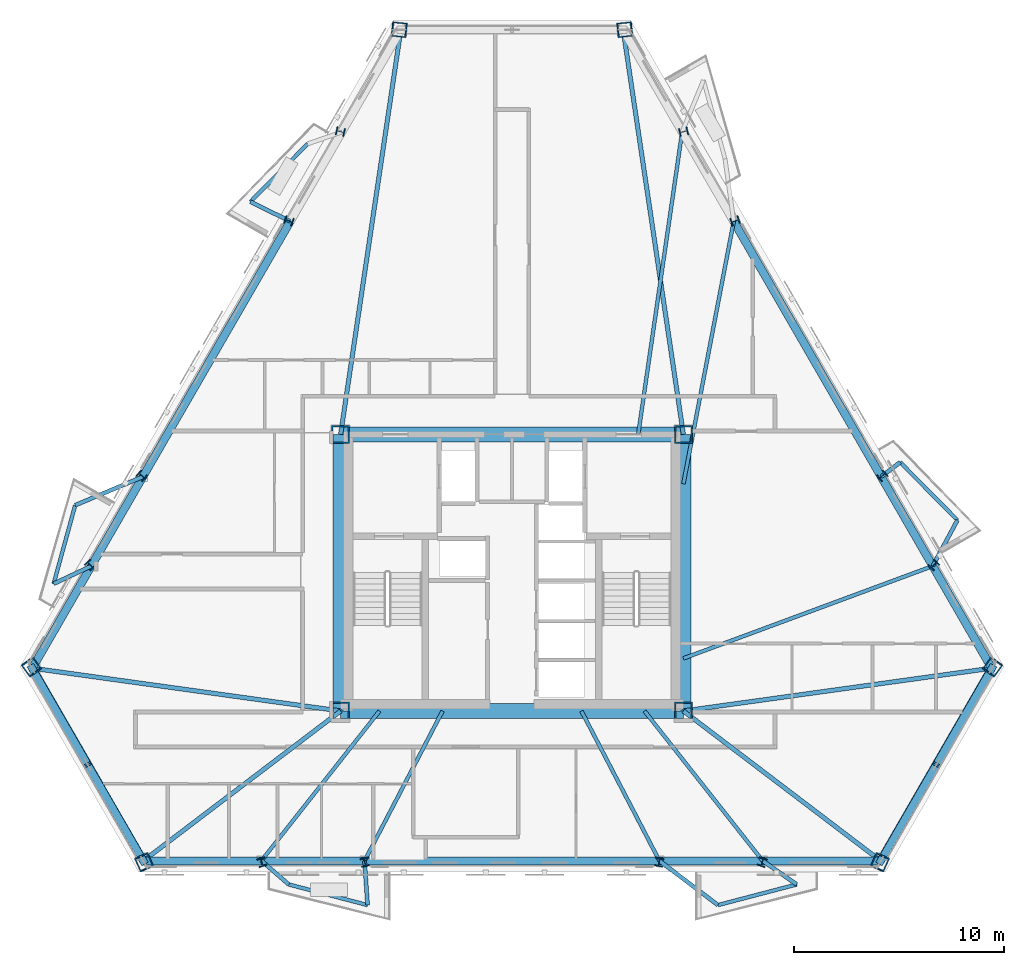
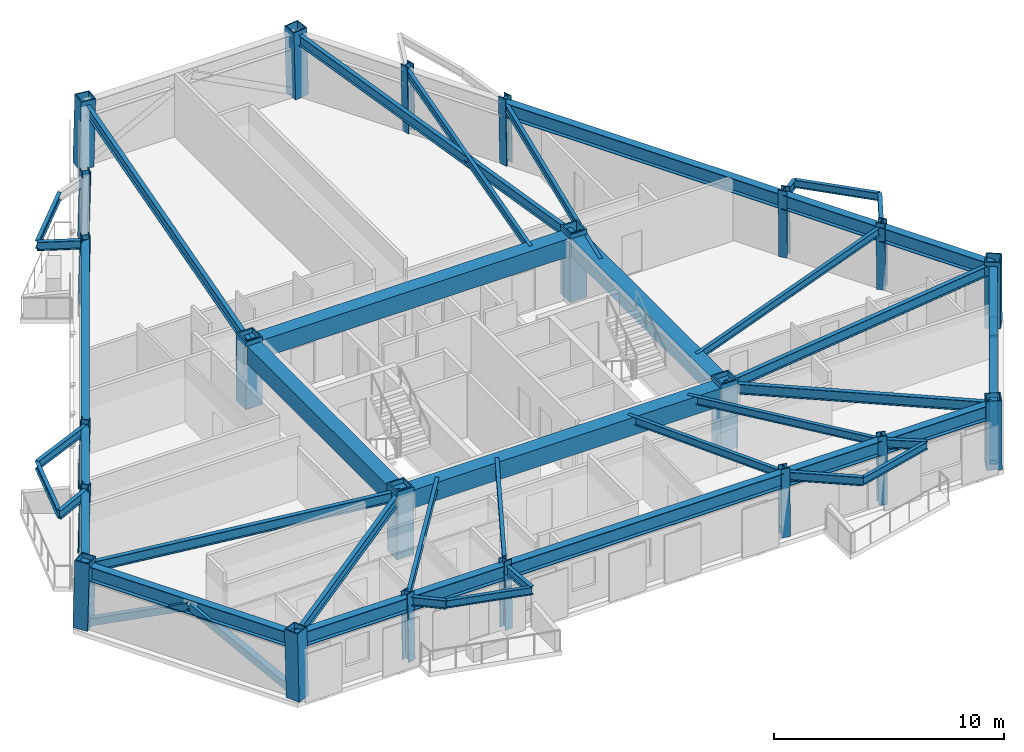
# One storey, part 1 of 9: 44 beams, 22 columns, 4 members.
"""IFC4 building model written with IfcOpenShell, lengths in metres."""

import ifcopenshell
import ifcopenshell.guid

model = None  # the IFC model being written
_history = None  # IfcOwnerHistory: only IFC2X3 demands one
_inside = {}  # id of a spatial element -> (the spatial element, [elements in it])
_under = {}  # id of a project, library or spatial element -> (it, [spatial elements below it])
_declared = {}  # id of a project -> (the project, [libraries it declares])
_typed = {}  # id of a type object -> (the type object, [elements of that type])
_made_of = {}  # id of a material, layer set ... -> (it, [elements and type objects made of it])


def new_model(schema):
    """Start an empty IFC model of exactly this schema.

    Asked for "IFC4X3", IfcOpenShell would pick the latest addendum, in which some entities
    have other attributes; the version numbers below select the first issue.
    IFC2X3 requires an IfcOwnerHistory on every rooted entity: one is made here for all.
    """
    global model, _history
    if schema == "IFC4X3":
        model = ifcopenshell.file(schema_version=(4, 3, 0, 0))
    else:
        model = ifcopenshell.file(schema=schema)
    _inside.clear()
    _under.clear()
    _declared.clear()
    _typed.clear()
    _made_of.clear()
    _history = None
    if model.schema == "IFC2X3":
        org = make("IfcOrganization", Name="unknown")
        user = make(
            "IfcPersonAndOrganization",
            ThePerson=make("IfcPerson", FamilyName="unknown"),
            TheOrganization=org,
        )
        app = make(
            "IfcApplication",
            ApplicationDeveloper=org,
            Version="unknown",
            ApplicationFullName="unknown",
            ApplicationIdentifier="unknown",
        )
        _history = make(
            "IfcOwnerHistory",
            OwningUser=user,
            OwningApplication=app,
            ChangeAction="ADDED",
            CreationDate=0,
        )
    return model


def make(cls, **values):
    """One entity of the class cls with the attributes given. An attribute that is None is left unset."""
    return model.create_entity(
        cls, **{name: value for name, value in values.items() if value is not None}
    )


def rooted(cls, **values):
    """An entity with a GlobalId (a new one), such as an element, a storey or a relation."""
    return make(cls, GlobalId=ifcopenshell.guid.new(), OwnerHistory=_history, **values)


def si_unit(unit_type, name, prefix=None):
    """IfcSIUnit, for example si_unit("LENGTHUNIT", "METRE", prefix="MILLI")."""
    return make("IfcSIUnit", UnitType=unit_type, Prefix=prefix, Name=name)


def assignment(units):
    """IfcUnitAssignment: the units of a project."""
    return None if units is None else make("IfcUnitAssignment", Units=units)


def point(xyz):
    """IfcCartesianPoint."""
    return None if xyz is None else make("IfcCartesianPoint", Coordinates=xyz)


def direction(xyz):
    """IfcDirection."""
    return None if xyz is None else make("IfcDirection", DirectionRatios=xyz)


def frame(location, z_axis=None, x_axis=None):
    """IfcAxis2Placement3D, a coordinate frame: its origin and axes. An axis left out is left unset."""
    return make(
        "IfcAxis2Placement3D",
        Location=point(location),
        Axis=direction(z_axis),
        RefDirection=direction(x_axis),
    )


def frame_2d(location, x_axis=None):
    """IfcAxis2Placement2D, a coordinate frame in the plane: its origin and x axis."""
    return make(
        "IfcAxis2Placement2D", Location=point(location), RefDirection=direction(x_axis)
    )


def origin():
    """The frame at (0, 0, 0) with its axes left unset."""
    return frame((0.0, 0.0, 0.0))


def origin_2d():
    """The frame at (0, 0) in the plane with its x axis left unset."""
    return frame_2d((0.0, 0.0))


def place(relative_to, where):
    """IfcLocalPlacement: puts the frame where relative to a parent placement (None: the world)."""
    return make(
        "IfcLocalPlacement", PlacementRelTo=relative_to, RelativePlacement=where
    )


def context(
    kind, dimensions, precision=None, world=None, true_north=None, identifier=None
):
    """IfcGeometricRepresentationContext, for example the 3D "Model" context."""
    return make(
        "IfcGeometricRepresentationContext",
        ContextIdentifier=identifier,
        ContextType=kind,
        CoordinateSpaceDimension=dimensions,
        Precision=precision,
        WorldCoordinateSystem=world,
        TrueNorth=true_north,
    )


def subcontext(parent, identifier, kind, view, scale=None):
    """IfcGeometricRepresentationSubContext, for example "Body" below "Model"."""
    return make(
        "IfcGeometricRepresentationSubContext",
        ContextIdentifier=identifier,
        ContextType=kind,
        ParentContext=parent,
        TargetScale=scale,
        TargetView=view,
    )


def project(units=None, contexts=None):
    """IfcProject with its units and contexts."""
    return rooted(
        "IfcProject",
        Name="project",
        RepresentationContexts=contexts,
        UnitsInContext=assignment(units),
    )


def spatial(cls, under=None, at=None, **own):
    """A site, building, storey or space (cls), placed at a placement, below another one or the project."""
    s = rooted(cls, ObjectPlacement=at, **own)
    if under is not None:
        _under.setdefault(under.id(), (under, []))[1].append(s)
    return s


def profile(cls, at=None, kind="AREA", **sizes):
    """A parametric profile (cls). Its sizes go by their IFC names, for example OverallWidth=200.0."""
    return make(cls, ProfileType=kind, Position=at, **sizes)


def rectangle(**sizes):
    """IfcRectangleProfileDef."""
    return profile("IfcRectangleProfileDef", **sizes)


def hollow_rectangle(**sizes):
    """IfcRectangleHollowProfileDef."""
    return profile("IfcRectangleHollowProfileDef", **sizes)


def i_section(**sizes):
    """IfcIShapeProfileDef."""
    return profile("IfcIShapeProfileDef", **sizes)


def extrude(swept, where, along, depth):
    """IfcExtrudedAreaSolid: the profile swept, set in the frame where, extruded along a direction by depth."""
    return make(
        "IfcExtrudedAreaSolid",
        SweptArea=swept,
        Position=where,
        ExtrudedDirection=direction(along),
        Depth=depth,
    )


def shape(context_of_items, identifier, shape_type, items):
    """IfcShapeRepresentation: the items that make up one representation, for example the "Body"."""
    return make(
        "IfcShapeRepresentation",
        ContextOfItems=context_of_items,
        RepresentationIdentifier=identifier,
        RepresentationType=shape_type,
        Items=items,
    )


def material(Name=None, Category=None):
    """IfcMaterial."""
    return make("IfcMaterial", Name=Name, Category=Category)


def material_profile(
    of_material, cross_section, Name=None, Category=None, Priority=None
):
    """IfcMaterialProfile: a cross section and its material."""
    return make(
        "IfcMaterialProfile",
        Name=Name,
        Material=of_material,
        Profile=cross_section,
        Priority=Priority,
        Category=Category,
    )


def profile_set(profiles, Name=None, composite=None):
    """IfcMaterialProfileSet."""
    return make(
        "IfcMaterialProfileSet",
        Name=Name,
        MaterialProfiles=profiles,
        CompositeProfile=composite,
    )


def made_of(thing, what):
    """Note that an element or type object is made of a material, layer set ...; save() writes the relation."""
    if what is not None:
        _made_of.setdefault(what.id(), (what, []))[1].append(thing)
    return thing


def type_object(cls, material=None, **own):
    """A type object (cls), such as IfcWallType, which elements share."""
    return made_of(rooted(cls, **own), material)


def element(
    cls,
    number,
    at=None,
    inside=None,
    cuts=None,
    type_object=None,
    material=None,
    context=None,
    identifier="Body",
    shape_type=None,
    held_by="IfcProductDefinitionShape",
    body=None,
    shapes=None,
    **own,
):
    """One element of the class cls, such as IfcWall. Its Tag is "e" and its number.

    at: its placement. inside: the storey or other place that contains it. cuts: it is an
    opening in that element (IfcRelVoidsElement). A single representation is given by context,
    identifier, shape_type and body (its items); several are given by shapes. held_by: the class
    of the entity that holds the representations. save() writes the other relations.
    """
    e = rooted(cls, Tag="e%d" % number, ObjectPlacement=at, **own)
    if body is not None:
        shapes = [shape(context, identifier, shape_type, body)]
    if shapes is not None:
        e.Representation = make(held_by, Representations=shapes)
    if inside is not None:
        _inside.setdefault(inside.id(), (inside, []))[1].append(e)
    if cuts is not None:
        rooted(
            "IfcRelVoidsElement", RelatingBuildingElement=cuts, RelatedOpeningElement=e
        )
    if type_object is not None:
        _typed.setdefault(type_object.id(), (type_object, []))[1].append(e)
    return made_of(e, material)


def aggregate(whole, parts):
    """IfcRelAggregates: a whole, such as a stair, and the parts it consists of."""
    return rooted("IfcRelAggregates", RelatingObject=whole, RelatedObjects=parts)


def save(model, path):
    """Write the relations noted so far, then the file.

    IfcRelAggregates (storeys below a building ...), IfcRelContainedInSpatialStructure (elements
    in a storey), IfcRelDefinesByType, IfcRelAssociatesMaterial and IfcRelDeclares: one each for
    every whole, place, type object, material and project.
    """
    for whole, parts in _under.values():
        aggregate(whole, parts)
    for where, things in _inside.values():
        rooted(
            "IfcRelContainedInSpatialStructure",
            RelatedElements=things,
            RelatingStructure=where,
        )
    for kind, things in _typed.values():
        rooted("IfcRelDefinesByType", RelatedObjects=things, RelatingType=kind)
    for what, things in _made_of.values():
        rooted("IfcRelAssociatesMaterial", RelatedObjects=things, RelatingMaterial=what)
    for by, libraries in _declared.values():
        rooted("IfcRelDeclares", RelatingContext=by, RelatedDefinitions=libraries)
    model.write(path)


model = new_model("IFC4")

# Units and contexts
model_context = context("Model", 3, precision=1e-05, world=origin(), true_north=direction((0.0, 1.0)))
body_context = subcontext(model_context, "Body", "Model", "MODEL_VIEW")
ifc_project = project(units=[si_unit("LENGTHUNIT", "METRE"), si_unit("AREAUNIT", "SQUARE_METRE"), si_unit("VOLUMEUNIT", "CUBIC_METRE"), si_unit("PLANEANGLEUNIT", "RADIAN"), si_unit("MASSUNIT", "GRAM", prefix="KILO")], contexts=[model_context])

# Site, building, storey
site_placement = place(None, origin())
site = spatial("IfcSite", under=ifc_project, at=site_placement, CompositionType="ELEMENT")
building_placement = place(site_placement, origin())
building = spatial("IfcBuilding", under=site, at=building_placement, Name="Oramaril Tower", CompositionType="ELEMENT")
storey_placement = place(building_placement, frame((0.0, 0.0, 123.0)))
storey = spatial("IfcBuildingStorey", under=building, at=storey_placement, Name="L32", CompositionType="ELEMENT", Elevation=123.0)

# Columns
ifc_material_1 = material(Name="Steel ASTM A572 Gr 50", Category="steel")
ifc_material_profile_1 = material_profile(ifc_material_1, hollow_rectangle(XDim=0.85009765625, YDim=0.85009765625, WallThickness=0.070068359375, at=origin_2d()), Name="BOX850X850X70")
ifc_profile_set_1 = profile_set([ifc_material_profile_1], Name="Steel ASTM A572 Gr 50")
column_type_1 = type_object("IfcColumnType", Name="CT-CC3", PredefinedType="COLUMN", material=ifc_profile_set_1)
for number, where, z_axis, x_axis, name in (
    (1, (29.35009765625, 11.0, 0.0), (0.0, 0.0, 1.0), (1.0, 0.0, 0.0), "L32 Core Column CC-1"),
    (2, (45.64990234375, 11.0, 0.0), (0.0, 0.0, 1.0), (1.0, 0.0, 0.0), "L32 Core Column CC-2"),
    (3, (45.64990234375, 24.14990234375, 0.0), (0.0, 0.0, 1.0), (1.0, 0.0, 0.0), "L32 Core Column CC-3"),
    (4, (29.35009765625, 24.14990234375, 0.0), (0.0, 0.0, 1.0), (1.0, 0.0, 0.0), "L32 Core Column CC-4"),
):
    element("IfcColumn", number, at=place(storey_placement, frame(where, z_axis=z_axis, x_axis=x_axis)), inside=storey, type_object=column_type_1, Name=name, PredefinedType="COLUMN", context=body_context, shape_type="SweptSolid", body=[
        extrude(hollow_rectangle(XDim=0.85009765625, YDim=0.85009765625, WallThickness=0.070068359375, at=origin_2d()), origin(), (0.0, 0.0, 1.0), 3.60009765625),
    ])
ifc_material_2 = material(Name="Steel ASTM A572 Gr 50", Category="steel")
ifc_material_profile_2 = material_profile(ifc_material_2, hollow_rectangle(XDim=0.699951171875, YDim=0.699951171875, WallThickness=0.054931640625, at=origin_2d()), Name="BOX700X700X55")
ifc_profile_set_2 = profile_set([ifc_material_profile_2], Name="Steel ASTM A572 Gr 50")
column_type_2 = type_object("IfcColumnType", Name="CT-TC4", PredefinedType="COLUMN", material=ifc_profile_set_2)
for number, where, z_axis, x_axis, name in (
    (5, (14.636474609375, 13.10693359375, 0.00439453125), (0.014748241412, -0.020253345349, 0.999686096421), (0.808384021956, 0.588655479076, 0.0), "L32 Tube Column TC-01"),
    (6, (20.01220703125, 3.796142578125, 0.00439453125), (-0.010194632777, 0.022903941638, 0.999685690065), (-0.913587827214, -0.406641466119, 0.0), "L32 Tube Column TC-02"),
    (7, (54.98779296875, 3.796142578125, 0.00439453125), (0.010194632777, 0.022903941638, 0.999685690065), (-0.913587827214, 0.406641466119, 0.0), "L32 Tube Column TC-03"),
    (8, (60.363525390625, 13.10693359375, 0.00439453125), (-0.014748241412, -0.020253345349, 0.999686096421), (0.808384021956, -0.588655479076, 0.0), "L32 Tube Column TC-04"),
    (9, (42.875732421875, 43.39697265625, 0.00439453125), (-0.024942860071, -0.002650603659, 0.999685364518), (0.105672044622, -0.99440103529, 0.0), "L32 Tube Column TC-05"),
    (10, (32.124267578125, 43.39697265625, 0.00439453125), (0.024942860071, -0.002650603659, 0.999685364518), (0.105672044622, 0.99440103529, 0.0), "L32 Tube Column TC-06"),
):
    element("IfcColumn", number, at=place(storey_placement, frame(where, z_axis=z_axis, x_axis=x_axis)), inside=storey, type_object=column_type_2, Name=name, PredefinedType="COLUMN", context=body_context, shape_type="SweptSolid", body=[
        extrude(hollow_rectangle(XDim=0.699951171875, YDim=0.699951171875, WallThickness=0.054931640625, at=origin_2d()), origin(), (0.0, 0.0, 1.0), 3.59228515625),
    ])
ifc_material_3 = material(Name="Steel ASTM A572 Gr 50", Category="steel")
ifc_material_profile_3 = material_profile(ifc_material_3, i_section(OverallWidth=0.404052734375, OverallDepth=0.406005859375, WebThickness=0.027099609375, FlangeThickness=0.043701171875, at=origin_2d()), Name="W14X233")
ifc_profile_set_3 = profile_set([ifc_material_profile_3], Name="Steel ASTM A572 Gr 50")
column_type_3 = type_object("IfcColumnType", Name="CT-TF3", PredefinedType="COLUMN", material=ifc_profile_set_3)
for number, where, z_axis, x_axis, name in (
    (11, (25.6083984375, 3.796142578125, 0.00439453125), (-0.007000506765, 0.022904570676, 0.999713145631), (-0.956329539044, -0.292290630628, 0.0), "L32 Tube Column TC-07"),
    (12, (30.5048828125, 3.796142578125, 0.00439453125), (-0.004078031124, 0.022904941479, 0.999729330028), (-0.984517724356, -0.175285054781, 0.0), "L32 Tube Column TC-08"),
    (13, (44.4951171875, 3.796142578125, 0.00439453125), (0.004078031124, 0.022904941479, 0.999729330028), (-0.984517724356, 0.175285054781, 0.0), "L32 Tube Column TC-09"),
    (14, (49.3916015625, 3.796142578125, 0.00439453125), (0.007000506765, 0.022904570676, 0.999713145631), (-0.956329539044, 0.292290630628, 0.0), "L32 Tube Column TC-10"),
    (15, (57.5654296875, 17.953369140625, 0.00439453125), (-0.016379828323, -0.017467285805, 0.999713256464), (0.729448684879, -0.684035537182, 0.0), "L32 Tube Column TC-11"),
    (16, (55.1171875, 22.194091796875, 0.00439453125), (-0.017807389577, -0.01502073701, 0.999728600339), (0.64476441891, -0.764381347305, 0.0), "L32 Tube Column TC-12"),
    (17, (48.1220703125, 34.309814453125, 0.00439453125), (-0.021885435164, -0.007884194034, 0.999729396993), (0.338926384952, -0.940812896161, 0.0), "L32 Tube Column TC-13"),
    (18, (45.673583984375, 38.550537109375, 0.00439453125), (-0.023244444803, -0.00543729703, 0.999715025188), (0.227769603439, -0.9737150547, 0.0), "L32 Tube Column TC-14"),
    (19, (29.326416015625, 38.550537109375, 0.00439453125), (0.023244444803, -0.00543729703, 0.999715025188), (0.227769603439, 0.9737150547, 0.0), "L32 Tube Column TC-15"),
    (20, (26.8779296875, 34.309814453125, 0.00439453125), (0.021885435164, -0.007884194034, 0.999729396993), (0.338926384952, 0.940812896161, 0.0), "L32 Tube Column TC-16"),
    (21, (19.8828125, 22.194091796875, 0.00439453125), (0.017807389577, -0.01502073701, 0.999728600339), (0.64476441891, 0.764381347305, 0.0), "L32 Tube Column TC-17"),
    (22, (17.4345703125, 17.953369140625, 0.00439453125), (0.016379828323, -0.017467285805, 0.999713256464), (0.729448684879, 0.684035537182, 0.0), "L32 Tube Column TC-18"),
):
    element("IfcColumn", number, at=place(storey_placement, frame(where, z_axis=z_axis, x_axis=x_axis)), inside=storey, type_object=column_type_3, Name=name, PredefinedType="COLUMN", context=body_context, shape_type="SweptSolid", body=[
        extrude(i_section(OverallWidth=0.404052734375, OverallDepth=0.406005859375, WebThickness=0.027099609375, FlangeThickness=0.043701171875, at=origin_2d()), origin(), (0.0, 0.0, 1.0), 3.592041015625),
    ])

# Beams
ifc_material_4 = material(Name="Steel ASTM A572 Gr 50", Category="steel")
ifc_material_profile_4 = material_profile(ifc_material_4, i_section(OverallWidth=0.19091796875, OverallDepth=0.45703125, WebThickness=0.009033203125, FlangeThickness=0.014404296875, at=origin_2d()), Name="W18X50")
ifc_profile_set_4 = profile_set([ifc_material_profile_4], Name="Steel ASTM A572 Gr 50")
beam_type_1 = type_object("IfcBeamType", Name="BT-BB1", PredefinedType="BEAM", material=ifc_profile_set_4)
beam_1_placement = place(storey_placement, frame((25.583251953125, 3.87841796875, 3.131591796875), z_axis=(0.756421846232, -0.654084085224, 0.0), x_axis=(0.654084085224, 0.756421846232, 0.0)))
element("IfcBeam", 23, at=beam_1_placement, inside=storey, type_object=beam_type_1, Name="L32 Balcony Column-Framed Cantilever 01.1", PredefinedType="BEAM", context=body_context, shape_type="SweptSolid", body=[
    extrude(i_section(OverallWidth=0.19091796875, OverallDepth=0.45703125, WebThickness=0.009033203125, FlangeThickness=0.014404296875, at=origin_2d()), origin(), (0.0, 0.0, 1.0), 1.724853515625),
])
beam_2_placement = place(storey_placement, frame((30.490234375, 3.87841796875, 3.131591796875), z_axis=(0.067017492113, -0.997751800675, 0.0), x_axis=(0.997751800675, 0.067017492113, 0.0)))
element("IfcBeam", 24, at=beam_2_placement, inside=storey, type_object=beam_type_1, Name="L32 Balcony Column-Framed Cantilever 01.2", PredefinedType="BEAM", context=body_context, shape_type="SweptSolid", body=[
    extrude(i_section(OverallWidth=0.19091796875, OverallDepth=0.45703125, WebThickness=0.009033203125, FlangeThickness=0.014404296875, at=origin_2d()), origin(), (0.0, 0.0, 1.0), 2.11279296875),
])
beam_3_placement = place(storey_placement, frame((44.509765625, 3.87841796875, 3.131591796875), z_axis=(0.797163531651, -0.603763450207, 0.0), x_axis=(0.603763450207, 0.797163531651, 0.0)))
element("IfcBeam", 25, at=beam_3_placement, inside=storey, type_object=beam_type_1, Name="L32 Balcony Column-Framed Cantilever 02.1", PredefinedType="BEAM", context=body_context, shape_type="SweptSolid", body=[
    extrude(i_section(OverallWidth=0.19091796875, OverallDepth=0.45703125, WebThickness=0.009033203125, FlangeThickness=0.014404296875, at=origin_2d()), origin(), (0.0, 0.0, 1.0), 3.49169921875),
])
beam_4_placement = place(storey_placement, frame((49.416748046875, 3.87841796875, 3.131591796875), z_axis=(0.820675789397, -0.571394127287, 0.0), x_axis=(0.571394127287, 0.820675789397, 0.0)))
element("IfcBeam", 26, at=beam_4_placement, inside=storey, type_object=beam_type_1, Name="L32 Balcony Column-Framed Cantilever 02.2", PredefinedType="BEAM", context=body_context, shape_type="SweptSolid", body=[
    extrude(i_section(OverallWidth=0.19091796875, OverallDepth=0.45703125, WebThickness=0.009033203125, FlangeThickness=0.014404296875, at=origin_2d()), origin(), (0.0, 0.0, 1.0), 1.974365234375),
])
beam_5_placement = place(storey_placement, frame((57.506591796875, 17.890625, 3.131591796875), z_axis=(0.473295070282, 0.880903954156, 0.0), x_axis=(-0.880903954156, 0.473295070282, 0.0)))
element("IfcBeam", 27, at=beam_5_placement, inside=storey, type_object=beam_type_1, Name="L32 Balcony Column-Framed Cantilever 03.1", PredefinedType="BEAM", context=body_context, shape_type="SweptSolid", body=[
    extrude(i_section(OverallWidth=0.19091796875, OverallDepth=0.45703125, WebThickness=0.009033203125, FlangeThickness=0.014404296875, at=origin_2d()), origin(), (0.0, 0.0, 1.0), 2.47900390625),
])
beam_6_placement = place(storey_placement, frame((55.05322265625, 22.14013671875, 3.131591796875), z_axis=(0.796922976099, 0.604080930145, 0.0), x_axis=(-0.604080930145, 0.796922976099, 0.0)))
element("IfcBeam", 28, at=beam_6_placement, inside=storey, type_object=beam_type_1, Name="L32 Balcony Column-Framed Cantilever 03.2", PredefinedType="BEAM", context=body_context, shape_type="SweptSolid", body=[
    extrude(i_section(OverallWidth=0.19091796875, OverallDepth=0.45703125, WebThickness=0.009033203125, FlangeThickness=0.014404296875, at=origin_2d()), origin(), (0.0, 0.0, 1.0), 1.136962890625),
])
beam_7_placement = place(storey_placement, frame((26.95654296875, 34.281494140625, 3.131591796875), z_axis=(-0.897639350738, 0.440730752281, 0.0), x_axis=(-0.440730752281, -0.897639350738, 0.0)))
element("IfcBeam", 29, at=beam_7_placement, inside=storey, type_object=beam_type_1, Name="L32 Balcony Column-Framed Cantilever 05.2", PredefinedType="BEAM", context=body_context, shape_type="SweptSolid", body=[
    extrude(i_section(OverallWidth=0.19091796875, OverallDepth=0.45703125, WebThickness=0.009033203125, FlangeThickness=0.014404296875, at=origin_2d()), origin(), (0.0, 0.0, 1.0), 2.11279296875),
])
beam_8_placement = place(storey_placement, frame((19.94677734375, 22.14013671875, 3.131591796875), z_axis=(-0.92145100242, -0.388494594737, 0.0), x_axis=(0.388494594737, -0.92145100242, 0.0)))
element("IfcBeam", 30, at=beam_8_placement, inside=storey, type_object=beam_type_1, Name="L32 Balcony Column-Framed Cantilever 06.1", PredefinedType="BEAM", context=body_context, shape_type="SweptSolid", body=[
    extrude(i_section(OverallWidth=0.19091796875, OverallDepth=0.45703125, WebThickness=0.009033203125, FlangeThickness=0.014404296875, at=origin_2d()), origin(), (0.0, 0.0, 1.0), 3.491455078125),
])
beam_9_placement = place(storey_placement, frame((17.493408203125, 17.890625, 3.131591796875), z_axis=(-0.905137912918, -0.425118052543, 0.0), x_axis=(0.425118052543, -0.905137912918, 0.0)))
element("IfcBeam", 31, at=beam_9_placement, inside=storey, type_object=beam_type_1, Name="L32 Balcony Column-Framed Cantilever 06.2", PredefinedType="BEAM", context=body_context, shape_type="SweptSolid", body=[
    extrude(i_section(OverallWidth=0.19091796875, OverallDepth=0.45703125, WebThickness=0.009033203125, FlangeThickness=0.014404296875, at=origin_2d()), origin(), (0.0, 0.0, 1.0), 1.974365234375),
])
ifc_material_5 = material(Name="Concrete C50/60", Category="concrete")
ifc_material_profile_5 = material_profile(ifc_material_5, rectangle(XDim=0.699951171875, YDim=0.949951171875, at=origin_2d()), Name="CB700X950")
ifc_profile_set_5 = profile_set([ifc_material_profile_5], Name="Concrete C50/60")
beam_type_2 = type_object("IfcBeamType", Name="BT-CB1", PredefinedType="BEAM", material=ifc_profile_set_5)
beam_10_placement = place(storey_placement, frame((29.35009765625, 11.0, 2.885009765625), z_axis=(1.0, 0.0, 0.0), x_axis=(0.0, 1.0, 0.0)))
element("IfcBeam", 32, at=beam_10_placement, inside=storey, type_object=beam_type_2, Name="L32 Core Header Beam CB-1", PredefinedType="BEAM", context=body_context, shape_type="SweptSolid", body=[
    extrude(rectangle(XDim=0.699951171875, YDim=0.949951171875, at=origin_2d()), origin(), (0.0, 0.0, 1.0), 16.2998046875),
])
beam_11_placement = place(storey_placement, frame((45.64990234375, 11.0, 2.885009765625), z_axis=(0.0, 1.0, 0.0), x_axis=(-1.0, 0.0, 0.0)))
element("IfcBeam", 33, at=beam_11_placement, inside=storey, type_object=beam_type_2, Name="L32 Core Header Beam CB-2", PredefinedType="BEAM", context=body_context, shape_type="SweptSolid", body=[
    extrude(rectangle(XDim=0.699951171875, YDim=0.949951171875, at=origin_2d()), origin(), (0.0, 0.0, 1.0), 13.14990234375),
])
beam_12_placement = place(storey_placement, frame((45.64990234375, 24.14990234375, 2.885009765625), z_axis=(-1.0, 0.0, 0.0), x_axis=(0.0, -1.0, 0.0)))
element("IfcBeam", 34, at=beam_12_placement, inside=storey, type_object=beam_type_2, Name="L32 Core Header Beam CB-3", PredefinedType="BEAM", context=body_context, shape_type="SweptSolid", body=[
    extrude(rectangle(XDim=0.699951171875, YDim=0.949951171875, at=origin_2d()), origin(), (0.0, 0.0, 1.0), 16.2998046875),
])
beam_13_placement = place(storey_placement, frame((29.35009765625, 24.14990234375, 2.885009765625), z_axis=(0.0, -1.0, 0.0), x_axis=(1.0, 0.0, 0.0)))
element("IfcBeam", 35, at=beam_13_placement, inside=storey, type_object=beam_type_2, Name="L32 Core Header Beam CB-4", PredefinedType="BEAM", context=body_context, shape_type="SweptSolid", body=[
    extrude(rectangle(XDim=0.699951171875, YDim=0.949951171875, at=origin_2d()), origin(), (0.0, 0.0, 1.0), 13.14990234375),
])
ifc_material_6 = material(Name="Steel ASTM A572 Gr 50", Category="steel")
ifc_material_profile_6 = material_profile(ifc_material_6, i_section(OverallWidth=0.2099609375, OverallDepth=0.535888671875, WebThickness=0.010986328125, FlangeThickness=0.017333984375, at=origin_2d()), Name="W21X68")
ifc_profile_set_6 = profile_set([ifc_material_profile_6], Name="Steel ASTM A572 Gr 50")
beam_type_3 = type_object("IfcBeamType", Name="BT-FB2", PredefinedType="BEAM", material=ifc_profile_set_6)
beam_14_placement = place(storey_placement, frame((29.35009765625, 11.0, 3.092041015625), z_axis=(-0.99051086912, 0.137434414013, 0.0), x_axis=(-0.137434414013, -0.99051086912, 0.0)))
element("IfcBeam", 36, at=beam_14_placement, inside=storey, type_object=beam_type_3, Name="L32 Radial Primary Beam RB-01", PredefinedType="BEAM", context=body_context, shape_type="SweptSolid", body=[
    extrude(i_section(OverallWidth=0.2099609375, OverallDepth=0.535888671875, WebThickness=0.010986328125, FlangeThickness=0.017333984375, at=origin_2d()), origin(), (0.0, 0.0, 1.0), 14.801025390625),
])
for number, where, z_axis, x_axis, name in (
    (37, (29.35009765625, 11.0, 3.092041015625), (-0.796286855909, -0.604919203783, 0.0), (0.604919203783, -0.796286855909, 0.0), "L32 Radial Primary Beam RB-02"),
    (38, (45.64990234375, 11.0, 3.092041015625), (0.796286855909, -0.604919203783, 0.0), (0.604919203783, 0.796286855909, 0.0), "L32 Radial Primary Beam RB-03"),
):
    element("IfcBeam", number, at=place(storey_placement, frame(where, z_axis=z_axis, x_axis=x_axis)), inside=storey, type_object=beam_type_3, Name=name, PredefinedType="BEAM", context=body_context, shape_type="SweptSolid", body=[
        extrude(i_section(OverallWidth=0.2099609375, OverallDepth=0.535888671875, WebThickness=0.010986328125, FlangeThickness=0.017333984375, at=origin_2d()), origin(), (0.0, 0.0, 1.0), 11.772705078125),
    ])
beam_15_placement = place(storey_placement, frame((45.64990234375, 11.0, 3.092041015625), z_axis=(0.99051086912, 0.137434414013, 0.0), x_axis=(-0.137434414013, 0.99051086912, 0.0)))
element("IfcBeam", 39, at=beam_15_placement, inside=storey, type_object=beam_type_3, Name="L32 Radial Primary Beam RB-04", PredefinedType="BEAM", context=body_context, shape_type="SweptSolid", body=[
    extrude(i_section(OverallWidth=0.2099609375, OverallDepth=0.535888671875, WebThickness=0.010986328125, FlangeThickness=0.017333984375, at=origin_2d()), origin(), (0.0, 0.0, 1.0), 14.801025390625),
])
for number, where, z_axis, x_axis, name in (
    (40, (45.64990234375, 24.14990234375, 3.092041015625), (-0.147241018631, 0.989100643227, 0.0), (-0.989100643227, -0.147241018631, 0.0), "L32 Radial Primary Beam RB-05"),
    (41, (29.35009765625, 24.14990234375, 3.092041015625), (0.147241018631, 0.989100643227, 0.0), (-0.989100643227, 0.147241018631, 0.0), "L32 Radial Primary Beam RB-06"),
):
    element("IfcBeam", number, at=place(storey_placement, frame(where, z_axis=z_axis, x_axis=x_axis)), inside=storey, type_object=beam_type_3, Name=name, PredefinedType="BEAM", context=body_context, shape_type="SweptSolid", body=[
        extrude(i_section(OverallWidth=0.2099609375, OverallDepth=0.535888671875, WebThickness=0.010986328125, FlangeThickness=0.017333984375, at=origin_2d()), origin(), (0.0, 0.0, 1.0), 19.449462890625),
    ])
ifc_material_7 = material(Name="Steel ASTM A572 Gr 50", Category="steel")
ifc_material_profile_7 = material_profile(ifc_material_7, i_section(OverallWidth=0.177978515625, OverallDepth=0.404052734375, WebThickness=0.007568359375, FlangeThickness=0.010986328125, at=origin_2d()), Name="W16X36")
ifc_profile_set_7 = profile_set([ifc_material_profile_7], Name="Steel ASTM A572 Gr 50")
beam_type_4 = type_object("IfcBeamType", Name="BT-SB1", PredefinedType="BEAM", material=ifc_profile_set_7)
beam_16_placement = place(storey_placement, frame((31.199951171875, 11.0, 3.157958984375), z_axis=(-0.619263696204, -0.785183083468, 0.0), x_axis=(0.785183083468, -0.619263696204, 0.0)))
element("IfcBeam", 42, at=beam_16_placement, inside=storey, type_object=beam_type_4, Name="L32 Secondary Floor Beam SB-01", PredefinedType="BEAM", context=body_context, shape_type="SweptSolid", body=[
    extrude(i_section(OverallWidth=0.177978515625, OverallDepth=0.404052734375, WebThickness=0.007568359375, FlangeThickness=0.010986328125, at=origin_2d()), origin(), (0.0, 0.0, 1.0), 9.070068359375),
])
for number, where, z_axis, x_axis, name in (
    (43, (34.199951171875, 11.0, 3.157958984375), (-0.461989226174, -0.886885536526, 0.0), (0.886885536526, -0.461989226174, 0.0), "L32 Secondary Floor Beam SB-02"),
    (44, (40.800048828125, 11.0, 3.157958984375), (0.461989226174, -0.886885536526, 0.0), (0.886885536526, 0.461989226174, 0.0), "L32 Secondary Floor Beam SB-03"),
):
    element("IfcBeam", number, at=place(storey_placement, frame(where, z_axis=z_axis, x_axis=x_axis)), inside=storey, type_object=beam_type_4, Name=name, PredefinedType="BEAM", context=body_context, shape_type="SweptSolid", body=[
        extrude(i_section(OverallWidth=0.177978515625, OverallDepth=0.404052734375, WebThickness=0.007568359375, FlangeThickness=0.010986328125, at=origin_2d()), origin(), (0.0, 0.0, 1.0), 8.02978515625),
    ])
beam_17_placement = place(storey_placement, frame((43.800048828125, 11.0, 3.157958984375), z_axis=(0.619263696204, -0.785183083468, 0.0), x_axis=(0.785183083468, 0.619263696204, 0.0)))
element("IfcBeam", 45, at=beam_17_placement, inside=storey, type_object=beam_type_4, Name="L32 Secondary Floor Beam SB-04", PredefinedType="BEAM", context=body_context, shape_type="SweptSolid", body=[
    extrude(i_section(OverallWidth=0.177978515625, OverallDepth=0.404052734375, WebThickness=0.007568359375, FlangeThickness=0.010986328125, at=origin_2d()), origin(), (0.0, 0.0, 1.0), 9.070068359375),
])
beam_18_placement = place(storey_placement, frame((45.64990234375, 13.5, 3.157958984375), z_axis=(0.937767859214, 0.347262785547, 0.0), x_axis=(-0.347262785547, 0.937767859214, 0.0)))
element("IfcBeam", 46, at=beam_18_placement, inside=storey, type_object=beam_type_4, Name="L32 Secondary Floor Beam SB-05", PredefinedType="BEAM", context=body_context, shape_type="SweptSolid", body=[
    extrude(i_section(OverallWidth=0.177978515625, OverallDepth=0.404052734375, WebThickness=0.007568359375, FlangeThickness=0.010986328125, at=origin_2d()), origin(), (0.0, 0.0, 1.0), 12.6435546875),
])
beam_19_placement = place(storey_placement, frame((45.64990234375, 21.800048828125, 3.157958984375), z_axis=(0.188337214289, 0.982104420983, 0.0), x_axis=(-0.982104420983, 0.188337214289, 0.0)))
element("IfcBeam", 47, at=beam_19_placement, inside=storey, type_object=beam_type_4, Name="L32 Secondary Floor Beam SB-06", PredefinedType="BEAM", context=body_context, shape_type="SweptSolid", body=[
    extrude(i_section(OverallWidth=0.177978515625, OverallDepth=0.404052734375, WebThickness=0.007568359375, FlangeThickness=0.010986328125, at=origin_2d()), origin(), (0.0, 0.0, 1.0), 12.708984375),
])
beam_20_placement = place(storey_placement, frame((43.5, 24.14990234375, 3.157958984375), z_axis=(0.143824681351, 0.989603183622, 0.0), x_axis=(-0.989603183622, 0.143824681351, 0.0)))
element("IfcBeam", 48, at=beam_20_placement, inside=storey, type_object=beam_type_4, Name="L32 Secondary Floor Beam SB-07", PredefinedType="BEAM", context=body_context, shape_type="SweptSolid", body=[
    extrude(i_section(OverallWidth=0.177978515625, OverallDepth=0.404052734375, WebThickness=0.007568359375, FlangeThickness=0.010986328125, at=origin_2d()), origin(), (0.0, 0.0, 1.0), 14.5322265625),
])
for number, where, z_axis, x_axis, name in (
    (49, (26.887939453125, 2.750244140625, 3.157958984375), (0.967407922874, -0.253223045479, 0.0), (0.253223045479, 0.967407922874, 0.0), "L32 Balcony Edge Tie Beam 01"),
    (50, (47.293212890625, 1.770263671875, 3.157958984375), (0.967407922874, 0.253223045479, 0.0), (-0.253223045479, 0.967407922874, 0.0), "L32 Balcony Edge Tie Beam 02"),
    (51, (58.679931640625, 20.074462890625, 3.157958984375), (-0.702994511648, 0.71119527318, 0.0), (-0.71119527318, -0.702994511648, 0.0), "L32 Balcony Edge Tie Beam 03"),
    (52, (27.78076171875, 37.965087890625, 3.157958984375), (-0.702994511648, -0.71119527318, 0.0), (0.71119527318, -0.702994511648, 0.0), "L32 Balcony Edge Tie Beam 05"),
    (53, (16.7294921875, 20.78369140625, 3.157958984375), (-0.264382243015, -0.964417974521, 0.0), (0.964417974521, -0.264382243015, 0.0), "L32 Balcony Edge Tie Beam 06"),
):
    element("IfcBeam", number, at=place(storey_placement, frame(where, z_axis=z_axis, x_axis=x_axis)), inside=storey, type_object=beam_type_4, Name=name, PredefinedType="BEAM", context=body_context, shape_type="SweptSolid", body=[
        extrude(i_section(OverallWidth=0.177978515625, OverallDepth=0.404052734375, WebThickness=0.007568359375, FlangeThickness=0.010986328125, at=origin_2d()), origin(), (0.0, 0.0, 1.0), 3.8701171875),
    ])
ifc_material_8 = material(Name="Steel ASTM A572 Gr 50", Category="steel")
ifc_material_profile_8 = material_profile(ifc_material_8, i_section(OverallWidth=0.381103515625, OverallDepth=0.77197265625, WebThickness=0.0166015625, FlangeThickness=0.027099609375, at=origin_2d()), Name="W30X173")
ifc_profile_set_8 = profile_set([ifc_material_profile_8], Name="Steel ASTM A572 Gr 50")
beam_type_5 = type_object("IfcBeamType", Name="BT-SP2", PredefinedType="SPANDREL", material=ifc_profile_set_8)
beam_21_placement = place(storey_placement, frame((14.689453125, 13.0341796875, 2.97412109375), z_axis=(0.500003640647, -0.866023301845, 0.0), x_axis=(0.866023301845, 0.500003640647, 0.0)))
element("IfcBeam", 54, at=beam_21_placement, inside=storey, type_object=beam_type_5, Name="L32 Perimeter Spandrel 01", PredefinedType="SPANDREL", context=body_context, shape_type="SweptSolid", body=[
    extrude(i_section(OverallWidth=0.381103515625, OverallDepth=0.77197265625, WebThickness=0.0166015625, FlangeThickness=0.027099609375, at=origin_2d()), origin(), (0.0, 0.0, 1.0), 10.572265625),
])
beam_22_placement = place(storey_placement, frame((19.9755859375, 3.87841796875, 2.97412109375), z_axis=(1.0, 0.0, 0.0), x_axis=(0.0, 1.0, 0.0)))
element("IfcBeam", 55, at=beam_22_placement, inside=storey, type_object=beam_type_5, Name="L32 Perimeter Spandrel 02", PredefinedType="SPANDREL", context=body_context, shape_type="SweptSolid", body=[
    extrude(i_section(OverallWidth=0.381103515625, OverallDepth=0.77197265625, WebThickness=0.0166015625, FlangeThickness=0.027099609375, at=origin_2d()), origin(), (0.0, 0.0, 1.0), 5.607666015625),
])
beam_23_placement = place(storey_placement, frame((25.583251953125, 3.87841796875, 2.97412109375), z_axis=(1.0, 0.0, 0.0), x_axis=(0.0, 1.0, 0.0)))
element("IfcBeam", 56, at=beam_23_placement, inside=storey, type_object=beam_type_5, Name="L32 Perimeter Spandrel 03", PredefinedType="SPANDREL", context=body_context, shape_type="SweptSolid", body=[
    extrude(i_section(OverallWidth=0.381103515625, OverallDepth=0.77197265625, WebThickness=0.0166015625, FlangeThickness=0.027099609375, at=origin_2d()), origin(), (0.0, 0.0, 1.0), 4.906982421875),
])
beam_24_placement = place(storey_placement, frame((30.490234375, 3.87841796875, 2.97412109375), z_axis=(1.0, 0.0, 0.0), x_axis=(0.0, 1.0, 0.0)))
element("IfcBeam", 57, at=beam_24_placement, inside=storey, type_object=beam_type_5, Name="L32 Perimeter Spandrel 04", PredefinedType="SPANDREL", context=body_context, shape_type="SweptSolid", body=[
    extrude(i_section(OverallWidth=0.381103515625, OverallDepth=0.77197265625, WebThickness=0.0166015625, FlangeThickness=0.027099609375, at=origin_2d()), origin(), (0.0, 0.0, 1.0), 14.01953125),
])
beam_25_placement = place(storey_placement, frame((44.509765625, 3.87841796875, 2.97412109375), z_axis=(1.0, 0.0, 0.0), x_axis=(0.0, 1.0, 0.0)))
element("IfcBeam", 58, at=beam_25_placement, inside=storey, type_object=beam_type_5, Name="L32 Perimeter Spandrel 05", PredefinedType="SPANDREL", context=body_context, shape_type="SweptSolid", body=[
    extrude(i_section(OverallWidth=0.381103515625, OverallDepth=0.77197265625, WebThickness=0.0166015625, FlangeThickness=0.027099609375, at=origin_2d()), origin(), (0.0, 0.0, 1.0), 4.906982421875),
])
beam_26_placement = place(storey_placement, frame((49.416748046875, 3.87841796875, 2.97412109375), z_axis=(1.0, 0.0, 0.0), x_axis=(0.0, 1.0, 0.0)))
element("IfcBeam", 59, at=beam_26_placement, inside=storey, type_object=beam_type_5, Name="L32 Perimeter Spandrel 06", PredefinedType="SPANDREL", context=body_context, shape_type="SweptSolid", body=[
    extrude(i_section(OverallWidth=0.381103515625, OverallDepth=0.77197265625, WebThickness=0.0166015625, FlangeThickness=0.027099609375, at=origin_2d()), origin(), (0.0, 0.0, 1.0), 5.607666015625),
])
beam_27_placement = place(storey_placement, frame((55.0244140625, 3.87841796875, 2.97412109375), z_axis=(0.500003640647, 0.866023301845, 0.0), x_axis=(-0.866023301845, 0.500003640647, 0.0)))
element("IfcBeam", 60, at=beam_27_placement, inside=storey, type_object=beam_type_5, Name="L32 Perimeter Spandrel 07", PredefinedType="SPANDREL", context=body_context, shape_type="SweptSolid", body=[
    extrude(i_section(OverallWidth=0.381103515625, OverallDepth=0.77197265625, WebThickness=0.0166015625, FlangeThickness=0.027099609375, at=origin_2d()), origin(), (0.0, 0.0, 1.0), 10.572265625),
])
beam_28_placement = place(storey_placement, frame((60.310546875, 13.0341796875, 2.97412109375), z_axis=(-0.500011377402, 0.866018834939, 0.0), x_axis=(-0.866018834939, -0.500011377402, 0.0)))
element("IfcBeam", 61, at=beam_28_placement, inside=storey, type_object=beam_type_5, Name="L32 Perimeter Spandrel 08", PredefinedType="SPANDREL", context=body_context, shape_type="SweptSolid", body=[
    extrude(i_section(OverallWidth=0.381103515625, OverallDepth=0.77197265625, WebThickness=0.0166015625, FlangeThickness=0.027099609375, at=origin_2d()), origin(), (0.0, 0.0, 1.0), 5.607666015625),
])
beam_29_placement = place(storey_placement, frame((57.506591796875, 17.890625, 2.97412109375), z_axis=(-0.499986611447, 0.866033133531, 0.0), x_axis=(-0.866033133531, -0.499986611447, 0.0)))
element("IfcBeam", 62, at=beam_29_placement, inside=storey, type_object=beam_type_5, Name="L32 Perimeter Spandrel 09", PredefinedType="SPANDREL", context=body_context, shape_type="SweptSolid", body=[
    extrude(i_section(OverallWidth=0.381103515625, OverallDepth=0.77197265625, WebThickness=0.0166015625, FlangeThickness=0.027099609375, at=origin_2d()), origin(), (0.0, 0.0, 1.0), 4.906982421875),
])
for number, where, z_axis, x_axis, name in (
    (63, (55.05322265625, 22.14013671875, 2.97412109375), (-0.499997306403, 0.866026958928, 0.0), (-0.866026958928, -0.499997306403, 0.0), "L32 Perimeter Spandrel 10"),
    (64, (26.95654296875, 34.281494140625, 2.97412109375), (-0.499997306403, -0.866026958928, 0.0), (0.866026958928, -0.499997306403, 0.0), "L32 Perimeter Spandrel 16"),
):
    element("IfcBeam", number, at=place(storey_placement, frame(where, z_axis=z_axis, x_axis=x_axis)), inside=storey, type_object=beam_type_5, Name=name, PredefinedType="SPANDREL", context=body_context, shape_type="SweptSolid", body=[
        extrude(i_section(OverallWidth=0.381103515625, OverallDepth=0.77197265625, WebThickness=0.0166015625, FlangeThickness=0.027099609375, at=origin_2d()), origin(), (0.0, 0.0, 1.0), 14.01953125),
    ])
beam_30_placement = place(storey_placement, frame((19.94677734375, 22.14013671875, 2.97412109375), z_axis=(-0.499986611447, -0.866033133531, 0.0), x_axis=(0.866033133531, -0.499986611447, 0.0)))
element("IfcBeam", 65, at=beam_30_placement, inside=storey, type_object=beam_type_5, Name="L32 Perimeter Spandrel 17", PredefinedType="SPANDREL", context=body_context, shape_type="SweptSolid", body=[
    extrude(i_section(OverallWidth=0.381103515625, OverallDepth=0.77197265625, WebThickness=0.0166015625, FlangeThickness=0.027099609375, at=origin_2d()), origin(), (0.0, 0.0, 1.0), 4.906982421875),
])
beam_31_placement = place(storey_placement, frame((17.493408203125, 17.890625, 2.97412109375), z_axis=(-0.500011377402, -0.866018834939, 0.0), x_axis=(0.866018834939, -0.500011377402, 0.0)))
element("IfcBeam", 66, at=beam_31_placement, inside=storey, type_object=beam_type_5, Name="L32 Perimeter Spandrel 18", PredefinedType="SPANDREL", context=body_context, shape_type="SweptSolid", body=[
    extrude(i_section(OverallWidth=0.381103515625, OverallDepth=0.77197265625, WebThickness=0.0166015625, FlangeThickness=0.027099609375, at=origin_2d()), origin(), (0.0, 0.0, 1.0), 5.607666015625),
])

# Members
ifc_material_9 = material(Name="Steel ASTM A572 Gr 50", Category="steel")
ifc_material_profile_9 = material_profile(ifc_material_9, hollow_rectangle(XDim=0.35009765625, YDim=0.35009765625, WallThickness=0.01611328125, at=origin_2d()), Name="HSS350X350X16")
ifc_profile_set_9 = profile_set([ifc_material_profile_9], Name="Steel ASTM A572 Gr 50")
member_type = type_object("IfcMemberType", Name="MT-KB1", PredefinedType="BRACE", material=ifc_profile_set_9)
member_1_placement = place(storey_placement, frame((14.636474609375, 13.10693359375, 0.179931640625), z_axis=(0.443632640656, -0.76842863336, 0.461202250187), x_axis=(0.866035084688, 0.499983231807, 0.0)))
element("IfcMember", 67, at=member_1_placement, inside=storey, type_object=member_type, Name="L32 Perimeter Chevron Brace KB-1A", PredefinedType="BRACE", context=body_context, shape_type="SweptSolid", body=[
    extrude(hollow_rectangle(XDim=0.35009765625, YDim=0.35009765625, WallThickness=0.01611328125, at=origin_2d()), origin(), (0.0, 0.0, 1.0), 6.05859375),
])
for number, where, z_axis, x_axis, name in (
    (68, (20.01220703125, 3.796142578125, 0.179931640625), (-0.443678744284, 0.768398392008, 0.461208285952), (-0.866004064096, -0.500036959603, 0.0), "L32 Perimeter Chevron Brace KB-1B"),
    (69, (54.98779296875, 3.796142578125, 0.179931640625), (0.443678744284, 0.768398392008, 0.461208285952), (-0.866004064096, 0.500036959603, 0.0), "L32 Perimeter Chevron Brace KB-2A"),
):
    element("IfcMember", number, at=place(storey_placement, frame(where, z_axis=z_axis, x_axis=x_axis)), inside=storey, type_object=member_type, Name=name, PredefinedType="BRACE", context=body_context, shape_type="SweptSolid", body=[
        extrude(hollow_rectangle(XDim=0.35009765625, YDim=0.35009765625, WallThickness=0.01611328125, at=origin_2d()), origin(), (0.0, 0.0, 1.0), 6.058349609375),
    ])
member_2_placement = place(storey_placement, frame((60.363525390625, 13.10693359375, 0.179931640625), z_axis=(-0.443632640656, -0.76842863336, 0.461202250187), x_axis=(0.866035084688, -0.499983231807, 0.0)))
element("IfcMember", 70, at=member_2_placement, inside=storey, type_object=member_type, Name="L32 Perimeter Chevron Brace KB-2B", PredefinedType="BRACE", context=body_context, shape_type="SweptSolid", body=[
    extrude(hollow_rectangle(XDim=0.35009765625, YDim=0.35009765625, WallThickness=0.01611328125, at=origin_2d()), origin(), (0.0, 0.0, 1.0), 6.05859375),
])

save(model, "model.ifc")
